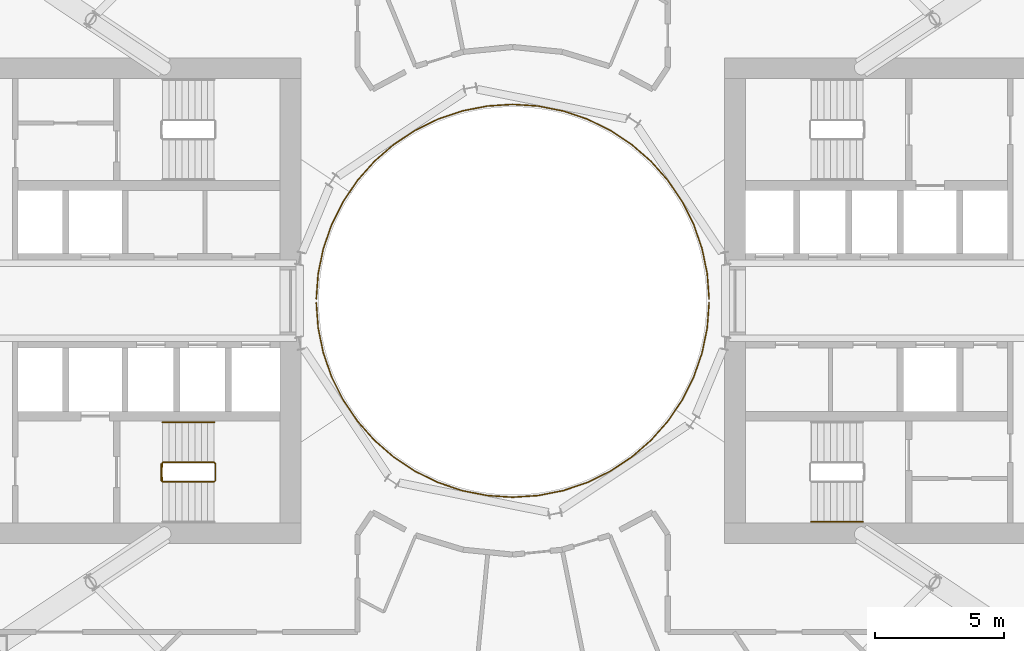
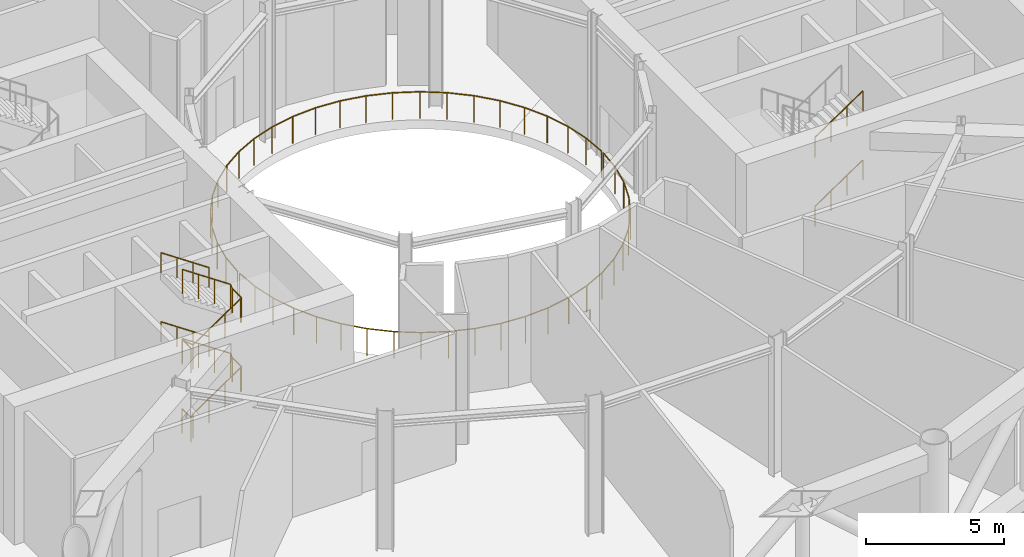
# One storey, part 19 of 22: 7 railings.
"""IFC4 building model written with IfcOpenShell, lengths in metres."""

from ifc_helpers import new_model, si_unit, direction, frame, origin, origin_2d, place, context, subcontext, project, spatial, circle, extrude, material, type_object, element, save


model = new_model("IFC4")

# Units and contexts
model_context = context("Model", 3, precision=1e-05, world=origin(), true_north=direction((0.0, 1.0)))
body_context = subcontext(model_context, "Body", "Model", "MODEL_VIEW")
ifc_project = project(units=[si_unit("LENGTHUNIT", "METRE"), si_unit("AREAUNIT", "SQUARE_METRE"), si_unit("VOLUMEUNIT", "CUBIC_METRE"), si_unit("PLANEANGLEUNIT", "RADIAN"), si_unit("MASSUNIT", "GRAM", prefix="KILO")], contexts=[model_context])

# Site, building, storey
site_placement = place(None, origin())
site = spatial("IfcSite", under=ifc_project, at=site_placement, CompositionType="ELEMENT")
building_placement = place(site_placement, origin())
building = spatial("IfcBuilding", under=site, at=building_placement, Name="Maasbend Ring Residences", CompositionType="ELEMENT")
storey_placement = place(building_placement, frame((0.0, 0.0, 57.5)))
storey = spatial("IfcBuildingStorey", under=building, at=storey_placement, Name="L16", CompositionType="ELEMENT", Elevation=57.5)

# Railings
ifc_material_1 = material(Name="Stainless steel 316 and glass", Category="steel")
railing_type_1 = type_object("IfcRailingType", Name="RL-GUARD", PredefinedType="GUARDRAIL", material=ifc_material_1)
railing_1_placement = place(storey_placement, frame((7.599609375, 0.06640625, 0.0)))
element("IfcRailing", 1, at=railing_1_placement, inside=storey, type_object=railing_type_1, Name="Garden guard well 1", PredefinedType="GUARDRAIL", context=body_context, shape_type="SweptSolid", body=[
    extrude(circle(Radius=0.02490234375, at=origin_2d()), frame((0.0, 0.0, 1.1748046875), z_axis=(-0.073598762792, 0.997287933405, 0.0), x_axis=(-0.997287933405, -0.073598762792, 0.0)), (0.0, 0.0, 1.0), 0.988525390625),
    extrude(circle(Radius=0.02490234375, at=origin_2d()), frame((-0.07275390625, 0.98583984375, 1.1748046875), z_axis=(-0.202760766137, 0.979228304184, 0.0), x_axis=(-0.979228304184, -0.202760766137, 0.0)), (0.0, 0.0, 1.0), 0.988525390625),
    extrude(circle(Radius=0.02490234375, at=origin_2d()), frame((-0.273193359375, 1.953857421875, 1.1748046875), z_axis=(-0.327907631853, 0.944709788757, 0.0), x_axis=(-0.944709788757, -0.327907631853, 0.0)), (0.0, 0.0, 1.0), 0.98876953125),
    extrude(circle(Radius=0.02490234375, at=origin_2d()), frame((-0.597412109375, 2.887939453125, 1.1748046875), z_axis=(-0.447806291046, 0.894130597676, 0.0), x_axis=(-0.894130597676, -0.447806291046, 0.0)), (0.0, 0.0, 1.0), 0.988525390625),
    extrude(circle(Radius=0.02490234375, at=origin_2d()), frame((-1.0400390625, 3.771728515625, 1.1748046875), z_axis=(-0.560045259563, 0.828462013155, 0.0), x_axis=(-0.828462013155, -0.560045259563, 0.0)), (0.0, 0.0, 1.0), 0.98876953125),
    extrude(circle(Radius=0.02490234375, at=origin_2d()), frame((-1.59375, 4.5908203125, 1.1748046875), z_axis=(-0.662829611997, 0.748770262137, 0.0), x_axis=(-0.748770262137, -0.662829611997, 0.0)), (0.0, 0.0, 1.0), 0.988525390625),
    extrude(circle(Radius=0.02490234375, at=origin_2d()), frame((-2.2490234375, 5.3310546875, 1.1748046875), z_axis=(-0.754424735376, 0.656386561908, 0.0), x_axis=(-0.656386561908, -0.754424735376, 0.0)), (0.0, 0.0, 1.0), 0.988525390625),
    extrude(circle(Radius=0.02490234375, at=origin_2d()), frame((-2.994873046875, 5.97998046875, 1.1748046875), z_axis=(-0.833415421364, 0.552647026078, 0.0), x_axis=(-0.552647026078, -0.833415421364, 0.0)), (0.0, 0.0, 1.0), 0.98876953125),
    extrude(circle(Radius=0.02490234375, at=origin_2d()), frame((-3.81884765625, 6.5263671875, 1.1748046875), z_axis=(-0.89795516916, 0.440086939341, 0.0), x_axis=(-0.440086939341, -0.89795516916, 0.0)), (0.0, 0.0, 1.0), 0.988525390625),
    extrude(circle(Radius=0.02490234375, at=origin_2d()), frame((-4.70654296875, 6.96142578125, 1.1748046875), z_axis=(-0.947491343753, 0.31978141521, 0.0), x_axis=(-0.31978141521, -0.947491343753, 0.0)), (0.0, 0.0, 1.0), 0.98876953125),
    extrude(circle(Radius=0.02490234375, at=origin_2d()), frame((-5.643310546875, 7.277587890625, 1.1748046875), z_axis=(-0.981024607585, 0.193883262073, 0.0), x_axis=(-0.193883262073, -0.981024607585, 0.0)), (0.0, 0.0, 1.0), 0.988525390625),
    extrude(circle(Radius=0.02490234375, at=origin_2d()), frame((-6.613037109375, 7.46923828125, 1.1748046875), z_axis=(-0.997872778693, 0.06519139163, 0.0), x_axis=(-0.06519139163, -0.997872778693, 0.0)), (0.0, 0.0, 1.0), 0.98876953125),
    extrude(circle(Radius=0.02490234375, at=origin_2d()), frame((-7.599609375, 7.53369140625, 1.1748046875), z_axis=(-0.997872778693, -0.06519139163, 0.0), x_axis=(0.06519139163, -0.997872778693, 0.0)), (0.0, 0.0, 1.0), 0.98876953125),
    extrude(circle(Radius=0.02490234375, at=origin_2d()), frame((-8.586181640625, 7.46923828125, 1.1748046875), z_axis=(-0.981024607585, -0.193883262073, 0.0), x_axis=(0.193883262073, -0.981024607585, 0.0)), (0.0, 0.0, 1.0), 0.988525390625),
    extrude(circle(Radius=0.02490234375, at=origin_2d()), frame((-9.555908203125, 7.277587890625, 1.1748046875), z_axis=(-0.947491343753, -0.31978141521, 0.0), x_axis=(0.31978141521, -0.947491343753, 0.0)), (0.0, 0.0, 1.0), 0.98876953125),
    extrude(circle(Radius=0.02490234375, at=origin_2d()), frame((-10.49267578125, 6.96142578125, 1.1748046875), z_axis=(-0.89795516916, -0.440086939341, 0.0), x_axis=(0.440086939341, -0.89795516916, 0.0)), (0.0, 0.0, 1.0), 0.988525390625),
    extrude(circle(Radius=0.02490234375, at=origin_2d()), frame((-11.38037109375, 6.5263671875, 1.1748046875), z_axis=(-0.833415421364, -0.552647026078, 0.0), x_axis=(0.552647026078, -0.833415421364, 0.0)), (0.0, 0.0, 1.0), 0.98876953125),
    extrude(circle(Radius=0.02490234375, at=origin_2d()), frame((-12.204345703125, 5.97998046875, 1.1748046875), z_axis=(-0.754424735376, -0.656386561908, 0.0), x_axis=(0.656386561908, -0.754424735376, 0.0)), (0.0, 0.0, 1.0), 0.988525390625),
    extrude(circle(Radius=0.02490234375, at=origin_2d()), frame((-12.9501953125, 5.3310546875, 1.1748046875), z_axis=(-0.662829611997, -0.748770262137, 0.0), x_axis=(0.748770262137, -0.662829611997, 0.0)), (0.0, 0.0, 1.0), 0.988525390625),
    extrude(circle(Radius=0.02490234375, at=origin_2d()), frame((-13.60546875, 4.5908203125, 1.1748046875), z_axis=(-0.560045259563, -0.828462013155, 0.0), x_axis=(0.828462013155, -0.560045259563, 0.0)), (0.0, 0.0, 1.0), 0.98876953125),
    extrude(circle(Radius=0.02490234375, at=origin_2d()), frame((-14.1591796875, 3.771728515625, 1.1748046875), z_axis=(-0.447806291046, -0.894130597676, 0.0), x_axis=(0.894130597676, -0.447806291046, 0.0)), (0.0, 0.0, 1.0), 0.988525390625),
    extrude(circle(Radius=0.02490234375, at=origin_2d()), frame((-14.601806640625, 2.887939453125, 1.1748046875), z_axis=(-0.327907631853, -0.944709788757, 0.0), x_axis=(0.944709788757, -0.327907631853, 0.0)), (0.0, 0.0, 1.0), 0.98876953125),
    extrude(circle(Radius=0.02490234375, at=origin_2d()), frame((-14.926025390625, 1.953857421875, 1.1748046875), z_axis=(-0.202760766137, -0.979228304184, 0.0), x_axis=(0.979228304184, -0.202760766137, 0.0)), (0.0, 0.0, 1.0), 0.988525390625),
    extrude(circle(Radius=0.02490234375, at=origin_2d()), frame((-15.12646484375, 0.98583984375, 1.1748046875), z_axis=(-0.073598762792, -0.997287933405, 0.0), x_axis=(0.997287933405, -0.073598762792, 0.0)), (0.0, 0.0, 1.0), 0.988525390625),
    extrude(circle(Radius=0.02001953125, at=origin_2d()), origin(), (0.0, 0.0, 1.0), 1.14990234375),
    extrude(circle(Radius=0.02001953125, at=origin_2d()), frame((-0.07275390625, 0.98583984375, 0.0)), (0.0, 0.0, 1.0), 1.14990234375),
    extrude(circle(Radius=0.02001953125, at=origin_2d()), frame((-0.273193359375, 1.953857421875, 0.0)), (0.0, 0.0, 1.0), 1.14990234375),
    extrude(circle(Radius=0.02001953125, at=origin_2d()), frame((-0.597412109375, 2.887939453125, 0.0)), (0.0, 0.0, 1.0), 1.14990234375),
    extrude(circle(Radius=0.02001953125, at=origin_2d()), frame((-1.0400390625, 3.771728515625, 0.0)), (0.0, 0.0, 1.0), 1.14990234375),
    extrude(circle(Radius=0.02001953125, at=origin_2d()), frame((-1.59375, 4.5908203125, 0.0)), (0.0, 0.0, 1.0), 1.14990234375),
    extrude(circle(Radius=0.02001953125, at=origin_2d()), frame((-2.2490234375, 5.3310546875, 0.0)), (0.0, 0.0, 1.0), 1.14990234375),
    extrude(circle(Radius=0.02001953125, at=origin_2d()), frame((-2.994873046875, 5.97998046875, 0.0)), (0.0, 0.0, 1.0), 1.14990234375),
    extrude(circle(Radius=0.02001953125, at=origin_2d()), frame((-3.81884765625, 6.5263671875, 0.0)), (0.0, 0.0, 1.0), 1.14990234375),
    extrude(circle(Radius=0.02001953125, at=origin_2d()), frame((-4.70654296875, 6.96142578125, 0.0)), (0.0, 0.0, 1.0), 1.14990234375),
    extrude(circle(Radius=0.02001953125, at=origin_2d()), frame((-5.643310546875, 7.277587890625, 0.0)), (0.0, 0.0, 1.0), 1.14990234375),
    extrude(circle(Radius=0.02001953125, at=origin_2d()), frame((-6.613037109375, 7.46923828125, 0.0)), (0.0, 0.0, 1.0), 1.14990234375),
    extrude(circle(Radius=0.02001953125, at=origin_2d()), frame((-7.599609375, 7.53369140625, 0.0)), (0.0, 0.0, 1.0), 1.14990234375),
    extrude(circle(Radius=0.02001953125, at=origin_2d()), frame((-8.586181640625, 7.46923828125, 0.0)), (0.0, 0.0, 1.0), 1.14990234375),
    extrude(circle(Radius=0.02001953125, at=origin_2d()), frame((-9.555908203125, 7.277587890625, 0.0)), (0.0, 0.0, 1.0), 1.14990234375),
    extrude(circle(Radius=0.02001953125, at=origin_2d()), frame((-10.49267578125, 6.96142578125, 0.0)), (0.0, 0.0, 1.0), 1.14990234375),
    extrude(circle(Radius=0.02001953125, at=origin_2d()), frame((-11.38037109375, 6.5263671875, 0.0)), (0.0, 0.0, 1.0), 1.14990234375),
    extrude(circle(Radius=0.02001953125, at=origin_2d()), frame((-12.204345703125, 5.97998046875, 0.0)), (0.0, 0.0, 1.0), 1.14990234375),
    extrude(circle(Radius=0.02001953125, at=origin_2d()), frame((-12.9501953125, 5.3310546875, 0.0)), (0.0, 0.0, 1.0), 1.14990234375),
    extrude(circle(Radius=0.02001953125, at=origin_2d()), frame((-13.60546875, 4.5908203125, 0.0)), (0.0, 0.0, 1.0), 1.14990234375),
    extrude(circle(Radius=0.02001953125, at=origin_2d()), frame((-14.1591796875, 3.771728515625, 0.0)), (0.0, 0.0, 1.0), 1.14990234375),
    extrude(circle(Radius=0.02001953125, at=origin_2d()), frame((-14.601806640625, 2.887939453125, 0.0)), (0.0, 0.0, 1.0), 1.14990234375),
    extrude(circle(Radius=0.02001953125, at=origin_2d()), frame((-14.926025390625, 1.953857421875, 0.0)), (0.0, 0.0, 1.0), 1.14990234375),
    extrude(circle(Radius=0.02001953125, at=origin_2d()), frame((-15.12646484375, 0.98583984375, 0.0)), (0.0, 0.0, 1.0), 1.14990234375),
    extrude(circle(Radius=0.02001953125, at=origin_2d()), frame((-15.19921875, 0.0, 0.0)), (0.0, 0.0, 1.0), 1.14990234375),
])
railing_2_placement = place(storey_placement, frame((-7.599609375, -0.06640625, 0.0)))
element("IfcRailing", 2, at=railing_2_placement, inside=storey, type_object=railing_type_1, Name="Garden guard well 2", PredefinedType="GUARDRAIL", context=body_context, shape_type="SweptSolid", body=[
    extrude(circle(Radius=0.02490234375, at=origin_2d()), frame((0.0, 0.0, 1.1748046875), z_axis=(0.073598762792, -0.997287933405, 0.0), x_axis=(0.997287933405, 0.073598762792, 0.0)), (0.0, 0.0, 1.0), 0.988525390625),
    extrude(circle(Radius=0.02490234375, at=origin_2d()), frame((0.07275390625, -0.98583984375, 1.1748046875), z_axis=(0.202760766137, -0.979228304184, 0.0), x_axis=(0.979228304184, 0.202760766137, 0.0)), (0.0, 0.0, 1.0), 0.988525390625),
    extrude(circle(Radius=0.02490234375, at=origin_2d()), frame((0.273193359375, -1.953857421875, 1.1748046875), z_axis=(0.327907631853, -0.944709788757, 0.0), x_axis=(0.944709788757, 0.327907631853, 0.0)), (0.0, 0.0, 1.0), 0.98876953125),
    extrude(circle(Radius=0.02490234375, at=origin_2d()), frame((0.597412109375, -2.887939453125, 1.1748046875), z_axis=(0.447806291046, -0.894130597676, 0.0), x_axis=(0.894130597676, 0.447806291046, 0.0)), (0.0, 0.0, 1.0), 0.988525390625),
    extrude(circle(Radius=0.02490234375, at=origin_2d()), frame((1.0400390625, -3.771728515625, 1.1748046875), z_axis=(0.560045259563, -0.828462013155, 0.0), x_axis=(0.828462013155, 0.560045259563, 0.0)), (0.0, 0.0, 1.0), 0.98876953125),
    extrude(circle(Radius=0.02490234375, at=origin_2d()), frame((1.59375, -4.5908203125, 1.1748046875), z_axis=(0.662829611997, -0.748770262137, 0.0), x_axis=(0.748770262137, 0.662829611997, 0.0)), (0.0, 0.0, 1.0), 0.988525390625),
    extrude(circle(Radius=0.02490234375, at=origin_2d()), frame((2.2490234375, -5.3310546875, 1.1748046875), z_axis=(0.754424735376, -0.656386561908, 0.0), x_axis=(0.656386561908, 0.754424735376, 0.0)), (0.0, 0.0, 1.0), 0.988525390625),
    extrude(circle(Radius=0.02490234375, at=origin_2d()), frame((2.994873046875, -5.97998046875, 1.1748046875), z_axis=(0.833415421364, -0.552647026078, 0.0), x_axis=(0.552647026078, 0.833415421364, 0.0)), (0.0, 0.0, 1.0), 0.98876953125),
    extrude(circle(Radius=0.02490234375, at=origin_2d()), frame((3.81884765625, -6.5263671875, 1.1748046875), z_axis=(0.89795516916, -0.440086939341, 0.0), x_axis=(0.440086939341, 0.89795516916, 0.0)), (0.0, 0.0, 1.0), 0.988525390625),
    extrude(circle(Radius=0.02490234375, at=origin_2d()), frame((4.70654296875, -6.96142578125, 1.1748046875), z_axis=(0.947491343753, -0.31978141521, 0.0), x_axis=(0.31978141521, 0.947491343753, 0.0)), (0.0, 0.0, 1.0), 0.98876953125),
    extrude(circle(Radius=0.02490234375, at=origin_2d()), frame((5.643310546875, -7.277587890625, 1.1748046875), z_axis=(0.981024607585, -0.193883262073, 0.0), x_axis=(0.193883262073, 0.981024607585, 0.0)), (0.0, 0.0, 1.0), 0.988525390625),
    extrude(circle(Radius=0.02490234375, at=origin_2d()), frame((6.613037109375, -7.46923828125, 1.1748046875), z_axis=(0.997872778693, -0.06519139163, 0.0), x_axis=(0.06519139163, 0.997872778693, 0.0)), (0.0, 0.0, 1.0), 0.98876953125),
    extrude(circle(Radius=0.02490234375, at=origin_2d()), frame((7.599609375, -7.53369140625, 1.1748046875), z_axis=(0.997872778693, 0.06519139163, 0.0), x_axis=(-0.06519139163, 0.997872778693, 0.0)), (0.0, 0.0, 1.0), 0.98876953125),
    extrude(circle(Radius=0.02490234375, at=origin_2d()), frame((8.586181640625, -7.46923828125, 1.1748046875), z_axis=(0.981024607585, 0.193883262073, 0.0), x_axis=(-0.193883262073, 0.981024607585, 0.0)), (0.0, 0.0, 1.0), 0.988525390625),
    extrude(circle(Radius=0.02490234375, at=origin_2d()), frame((9.555908203125, -7.277587890625, 1.1748046875), z_axis=(0.947491343753, 0.31978141521, 0.0), x_axis=(-0.31978141521, 0.947491343753, 0.0)), (0.0, 0.0, 1.0), 0.98876953125),
    extrude(circle(Radius=0.02490234375, at=origin_2d()), frame((10.49267578125, -6.96142578125, 1.1748046875), z_axis=(0.89795516916, 0.440086939341, 0.0), x_axis=(-0.440086939341, 0.89795516916, 0.0)), (0.0, 0.0, 1.0), 0.988525390625),
    extrude(circle(Radius=0.02490234375, at=origin_2d()), frame((11.38037109375, -6.5263671875, 1.1748046875), z_axis=(0.833415421364, 0.552647026078, 0.0), x_axis=(-0.552647026078, 0.833415421364, 0.0)), (0.0, 0.0, 1.0), 0.98876953125),
    extrude(circle(Radius=0.02490234375, at=origin_2d()), frame((12.204345703125, -5.97998046875, 1.1748046875), z_axis=(0.754424735376, 0.656386561908, 0.0), x_axis=(-0.656386561908, 0.754424735376, 0.0)), (0.0, 0.0, 1.0), 0.988525390625),
    extrude(circle(Radius=0.02490234375, at=origin_2d()), frame((12.9501953125, -5.3310546875, 1.1748046875), z_axis=(0.662829611997, 0.748770262137, 0.0), x_axis=(-0.748770262137, 0.662829611997, 0.0)), (0.0, 0.0, 1.0), 0.988525390625),
    extrude(circle(Radius=0.02490234375, at=origin_2d()), frame((13.60546875, -4.5908203125, 1.1748046875), z_axis=(0.560045259563, 0.828462013155, 0.0), x_axis=(-0.828462013155, 0.560045259563, 0.0)), (0.0, 0.0, 1.0), 0.98876953125),
    extrude(circle(Radius=0.02490234375, at=origin_2d()), frame((14.1591796875, -3.771728515625, 1.1748046875), z_axis=(0.447806291046, 0.894130597676, 0.0), x_axis=(-0.894130597676, 0.447806291046, 0.0)), (0.0, 0.0, 1.0), 0.988525390625),
    extrude(circle(Radius=0.02490234375, at=origin_2d()), frame((14.601806640625, -2.887939453125, 1.1748046875), z_axis=(0.327907631853, 0.944709788757, 0.0), x_axis=(-0.944709788757, 0.327907631853, 0.0)), (0.0, 0.0, 1.0), 0.98876953125),
    extrude(circle(Radius=0.02490234375, at=origin_2d()), frame((14.926025390625, -1.953857421875, 1.1748046875), z_axis=(0.202760766137, 0.979228304184, 0.0), x_axis=(-0.979228304184, 0.202760766137, 0.0)), (0.0, 0.0, 1.0), 0.988525390625),
    extrude(circle(Radius=0.02490234375, at=origin_2d()), frame((15.12646484375, -0.98583984375, 1.1748046875), z_axis=(0.073598762792, 0.997287933405, 0.0), x_axis=(-0.997287933405, 0.073598762792, 0.0)), (0.0, 0.0, 1.0), 0.988525390625),
    extrude(circle(Radius=0.02001953125, at=origin_2d()), origin(), (0.0, 0.0, 1.0), 1.14990234375),
    extrude(circle(Radius=0.02001953125, at=origin_2d()), frame((0.07275390625, -0.98583984375, 0.0)), (0.0, 0.0, 1.0), 1.14990234375),
    extrude(circle(Radius=0.02001953125, at=origin_2d()), frame((0.273193359375, -1.953857421875, 0.0)), (0.0, 0.0, 1.0), 1.14990234375),
    extrude(circle(Radius=0.02001953125, at=origin_2d()), frame((0.597412109375, -2.887939453125, 0.0)), (0.0, 0.0, 1.0), 1.14990234375),
    extrude(circle(Radius=0.02001953125, at=origin_2d()), frame((1.0400390625, -3.771728515625, 0.0)), (0.0, 0.0, 1.0), 1.14990234375),
    extrude(circle(Radius=0.02001953125, at=origin_2d()), frame((1.59375, -4.5908203125, 0.0)), (0.0, 0.0, 1.0), 1.14990234375),
    extrude(circle(Radius=0.02001953125, at=origin_2d()), frame((2.2490234375, -5.3310546875, 0.0)), (0.0, 0.0, 1.0), 1.14990234375),
    extrude(circle(Radius=0.02001953125, at=origin_2d()), frame((2.994873046875, -5.97998046875, 0.0)), (0.0, 0.0, 1.0), 1.14990234375),
    extrude(circle(Radius=0.02001953125, at=origin_2d()), frame((3.81884765625, -6.5263671875, 0.0)), (0.0, 0.0, 1.0), 1.14990234375),
    extrude(circle(Radius=0.02001953125, at=origin_2d()), frame((4.70654296875, -6.96142578125, 0.0)), (0.0, 0.0, 1.0), 1.14990234375),
    extrude(circle(Radius=0.02001953125, at=origin_2d()), frame((5.643310546875, -7.277587890625, 0.0)), (0.0, 0.0, 1.0), 1.14990234375),
    extrude(circle(Radius=0.02001953125, at=origin_2d()), frame((6.613037109375, -7.46923828125, 0.0)), (0.0, 0.0, 1.0), 1.14990234375),
    extrude(circle(Radius=0.02001953125, at=origin_2d()), frame((7.599609375, -7.53369140625, 0.0)), (0.0, 0.0, 1.0), 1.14990234375),
    extrude(circle(Radius=0.02001953125, at=origin_2d()), frame((8.586181640625, -7.46923828125, 0.0)), (0.0, 0.0, 1.0), 1.14990234375),
    extrude(circle(Radius=0.02001953125, at=origin_2d()), frame((9.555908203125, -7.277587890625, 0.0)), (0.0, 0.0, 1.0), 1.14990234375),
    extrude(circle(Radius=0.02001953125, at=origin_2d()), frame((10.49267578125, -6.96142578125, 0.0)), (0.0, 0.0, 1.0), 1.14990234375),
    extrude(circle(Radius=0.02001953125, at=origin_2d()), frame((11.38037109375, -6.5263671875, 0.0)), (0.0, 0.0, 1.0), 1.14990234375),
    extrude(circle(Radius=0.02001953125, at=origin_2d()), frame((12.204345703125, -5.97998046875, 0.0)), (0.0, 0.0, 1.0), 1.14990234375),
    extrude(circle(Radius=0.02001953125, at=origin_2d()), frame((12.9501953125, -5.3310546875, 0.0)), (0.0, 0.0, 1.0), 1.14990234375),
    extrude(circle(Radius=0.02001953125, at=origin_2d()), frame((13.60546875, -4.5908203125, 0.0)), (0.0, 0.0, 1.0), 1.14990234375),
    extrude(circle(Radius=0.02001953125, at=origin_2d()), frame((14.1591796875, -3.771728515625, 0.0)), (0.0, 0.0, 1.0), 1.14990234375),
    extrude(circle(Radius=0.02001953125, at=origin_2d()), frame((14.601806640625, -2.887939453125, 0.0)), (0.0, 0.0, 1.0), 1.14990234375),
    extrude(circle(Radius=0.02001953125, at=origin_2d()), frame((14.926025390625, -1.953857421875, 0.0)), (0.0, 0.0, 1.0), 1.14990234375),
    extrude(circle(Radius=0.02001953125, at=origin_2d()), frame((15.12646484375, -0.98583984375, 0.0)), (0.0, 0.0, 1.0), 1.14990234375),
    extrude(circle(Radius=0.02001953125, at=origin_2d()), frame((15.19921875, 0.0, 0.0)), (0.0, 0.0, 1.0), 1.14990234375),
])
ifc_material_2 = material(Name="Stainless steel 316", Category="steel")
railing_type_2 = type_object("IfcRailingType", Name="STAIR GUARD 1100", PredefinedType="GUARDRAIL", material=ifc_material_2)
railing_3_placement = place(storey_placement, frame((-13.60009765625, -6.300048828125, 0.0)))
element("IfcRailing", 3, at=railing_3_placement, inside=storey, type_object=railing_type_2, Name="L16 ST-W1 stair guard 1", PredefinedType="GUARDRAIL", context=body_context, shape_type="SweptSolid", body=[
    extrude(circle(Radius=0.02392578125, at=origin_2d()), frame((0.0, 0.0, 1.076171875), z_axis=(0.0, -1.0, 0.0), x_axis=(1.0, 0.0, 0.0)), (0.0, 0.0, 1.0), 0.64990234375),
    extrude(circle(Radius=0.02392578125, at=origin_2d()), frame((0.0, -0.64990234375, 1.076171875), z_axis=(0.272562526181, -0.272562526181, 0.92272386912), x_axis=(0.707106781187, 0.707106781187, 0.0)), (0.0, 0.0, 1.0), 0.18359375),
    extrude(circle(Radius=0.02392578125, at=origin_2d()), frame((0.050048828125, -0.699951171875, 1.24560546875), z_axis=(0.827797584762, 0.0, 0.561026878735), x_axis=(0.0, 1.0, 0.0)), (0.0, 0.0, 1.0), 2.416015625),
    extrude(circle(Radius=0.02392578125, at=origin_2d()), frame((2.050048828125, -0.699951171875, 2.60107421875), z_axis=(0.707106781187, 0.707106781187, 0.0), x_axis=(-0.707106781187, 0.707106781187, 0.0)), (0.0, 0.0, 1.0), 0.07080078125),
    extrude(circle(Radius=0.02392578125, at=origin_2d()), frame((2.10009765625, -0.64990234375, 2.60107421875), z_axis=(0.0, 1.0, 0.0), x_axis=(-1.0, 0.0, 0.0)), (0.0, 0.0, 1.0), 0.64990234375),
    extrude(circle(Radius=0.02392578125, at=origin_2d()), frame((2.10009765625, 0.0, 2.60107421875), z_axis=(-0.272562526181, 0.272562526181, 0.92272386912), x_axis=(-0.707106781187, -0.707106781187, 0.0)), (0.0, 0.0, 1.0), 0.18359375),
    extrude(circle(Radius=0.02392578125, at=origin_2d()), frame((2.050048828125, 0.050048828125, 2.7705078125), z_axis=(-0.827750655447, 0.0, 0.561096116906), x_axis=(0.0, -1.0, 0.0)), (0.0, 0.0, 1.0), 2.416259765625),
    extrude(circle(Radius=0.02392578125, at=origin_2d()), frame((0.050048828125, 0.050048828125, 4.1259765625), z_axis=(-0.071321223157, -0.997453398975, 0.0), x_axis=(0.997453398975, -0.071321223157, 0.0)), (0.0, 0.0, 1.0), 0.70166015625),
    extrude(circle(Radius=0.02392578125, at=origin_2d()), frame((0.0, -0.64990234375, 4.1259765625), z_axis=(0.0, 1.0, 0.0), x_axis=(-1.0, 0.0, 0.0)), (0.0, 0.0, 1.0), 0.64990234375),
    extrude(circle(Radius=0.02392578125, at=origin_2d()), frame((0.0, 0.0, 4.1259765625), z_axis=(0.069328998915, -0.969591414091, 0.234704025594), x_axis=(0.997453398975, 0.071321223157, 0.0)), (0.0, 0.0, 1.0), 0.721923828125),
    extrude(circle(Radius=0.02392578125, at=origin_2d()), frame((0.050048828125, -0.699951171875, 4.29541015625), z_axis=(0.827797584762, 0.0, 0.561026878735), x_axis=(0.0, 1.0, 0.0)), (0.0, 0.0, 1.0), 2.416015625),
    extrude(circle(Radius=0.02392578125, at=origin_2d()), frame((2.050048828125, -0.699951171875, 5.65087890625), z_axis=(0.707106781187, 0.707106781187, 0.0), x_axis=(-0.707106781187, 0.707106781187, 0.0)), (0.0, 0.0, 1.0), 0.07080078125),
    extrude(circle(Radius=0.02392578125, at=origin_2d()), frame((2.10009765625, -0.64990234375, 5.65087890625), z_axis=(0.0, 1.0, 0.0), x_axis=(-1.0, 0.0, 0.0)), (0.0, 0.0, 1.0), 0.64990234375),
    extrude(circle(Radius=0.02392578125, at=origin_2d()), frame((2.10009765625, 0.0, 5.65087890625), z_axis=(-0.272562526181, 0.272562526181, 0.92272386912), x_axis=(-0.707106781187, -0.707106781187, 0.0)), (0.0, 0.0, 1.0), 0.18359375),
    extrude(circle(Radius=0.02392578125, at=origin_2d()), frame((2.050048828125, 0.050048828125, 5.8203125), z_axis=(-0.827750655447, 0.0, 0.561096116906), x_axis=(0.0, -1.0, 0.0)), (0.0, 0.0, 1.0), 2.416259765625),
    extrude(circle(Radius=0.02099609375, at=origin_2d()), origin(), (0.0, 0.0, 1.0), 1.052001953125),
    extrude(circle(Radius=0.02099609375, at=origin_2d()), frame((0.0, -0.64990234375, 0.0)), (0.0, 0.0, 1.0), 1.052001953125),
    extrude(circle(Radius=0.02099609375, at=origin_2d()), frame((0.050048828125, -0.699951171875, 0.16943359375)), (0.0, 0.0, 1.0), 1.052001953125),
    extrude(circle(Radius=0.02099609375, at=origin_2d()), frame((0.716796875, -0.699951171875, 0.621337890625)), (0.0, 0.0, 1.0), 1.052001953125),
    extrude(circle(Radius=0.02099609375, at=origin_2d()), frame((1.38330078125, -0.699951171875, 1.072998046875)), (0.0, 0.0, 1.0), 1.052001953125),
    extrude(circle(Radius=0.02099609375, at=origin_2d()), frame((2.050048828125, -0.699951171875, 1.52490234375)), (0.0, 0.0, 1.0), 1.052001953125),
    extrude(circle(Radius=0.02099609375, at=origin_2d()), frame((2.10009765625, -0.64990234375, 1.52490234375)), (0.0, 0.0, 1.0), 1.052001953125),
    extrude(circle(Radius=0.02099609375, at=origin_2d()), frame((2.10009765625, 0.0, 1.52490234375)), (0.0, 0.0, 1.0), 1.052001953125),
    extrude(circle(Radius=0.02099609375, at=origin_2d()), frame((2.050048828125, 0.050048828125, 1.6943359375)), (0.0, 0.0, 1.0), 1.052001953125),
    extrude(circle(Radius=0.02099609375, at=origin_2d()), frame((1.38330078125, 0.050048828125, 2.146240234375)), (0.0, 0.0, 1.0), 1.052001953125),
    extrude(circle(Radius=0.02099609375, at=origin_2d()), frame((0.716796875, 0.050048828125, 2.59814453125)), (0.0, 0.0, 1.0), 1.052001953125),
    extrude(circle(Radius=0.02099609375, at=origin_2d()), frame((0.050048828125, 0.050048828125, 3.050048828125)), (0.0, 0.0, 1.0), 1.052001953125),
    extrude(circle(Radius=0.02099609375, at=origin_2d()), frame((0.0, -0.64990234375, 3.050048828125)), (0.0, 0.0, 1.0), 1.052001953125),
    extrude(circle(Radius=0.02099609375, at=origin_2d()), frame((0.0, 0.0, 3.050048828125)), (0.0, 0.0, 1.0), 1.052001953125),
    extrude(circle(Radius=0.02099609375, at=origin_2d()), frame((0.050048828125, -0.699951171875, 3.219482421875)), (0.0, 0.0, 1.0), 1.052001953125),
    extrude(circle(Radius=0.02099609375, at=origin_2d()), frame((0.716796875, -0.699951171875, 3.67138671875)), (0.0, 0.0, 1.0), 1.052001953125),
    extrude(circle(Radius=0.02099609375, at=origin_2d()), frame((1.38330078125, -0.699951171875, 4.123046875)), (0.0, 0.0, 1.0), 1.052001953125),
    extrude(circle(Radius=0.02099609375, at=origin_2d()), frame((2.050048828125, -0.699951171875, 4.574951171875)), (0.0, 0.0, 1.0), 1.052001953125),
    extrude(circle(Radius=0.02099609375, at=origin_2d()), frame((2.10009765625, -0.64990234375, 4.574951171875)), (0.0, 0.0, 1.0), 1.052001953125),
    extrude(circle(Radius=0.02099609375, at=origin_2d()), frame((2.10009765625, 0.0, 4.574951171875)), (0.0, 0.0, 1.0), 1.052001953125),
    extrude(circle(Radius=0.02099609375, at=origin_2d()), frame((2.050048828125, 0.050048828125, 4.744384765625)), (0.0, 0.0, 1.0), 1.052001953125),
    extrude(circle(Radius=0.02099609375, at=origin_2d()), frame((1.38330078125, 0.050048828125, 5.1962890625)), (0.0, 0.0, 1.0), 1.052001953125),
    extrude(circle(Radius=0.02099609375, at=origin_2d()), frame((0.716796875, 0.050048828125, 5.648193359375)), (0.0, 0.0, 1.0), 1.052001953125),
    extrude(circle(Radius=0.02099609375, at=origin_2d()), frame((0.050048828125, 0.050048828125, 6.10009765625)), (0.0, 0.0, 1.0), 1.052001953125),
])
ifc_material_3 = material(Name="Stainless steel 316", Category="steel")
railing_type_3 = type_object("IfcRailingType", Name="STAIR HANDRAIL 900", PredefinedType="HANDRAIL", material=ifc_material_3)
for number, where, name in (
    (4, (11.550048828125, -8.550048828125, 1.6943359375), "L16 ST-E2 stair handrail 2"),
    (5, (11.550048828125, -8.550048828125, 4.744384765625), "L16 ST-E2 stair handrail 4"),
):
    element("IfcRailing", number, at=place(storey_placement, frame(where)), inside=storey, type_object=railing_type_3, Name=name, PredefinedType="HANDRAIL", context=body_context, shape_type="SweptSolid", body=[
        extrude(circle(Radius=0.02392578125, at=origin_2d()), frame((0.0, 0.0, 0.8759765625), z_axis=(0.827750655447, 0.0, 0.561096116906), x_axis=(0.0, 1.0, 0.0)), (0.0, 0.0, 1.0), 2.416259765625),
        extrude(circle(Radius=0.02099609375, at=origin_2d()), origin(), (0.0, 0.0, 1.0), 0.851806640625),
        extrude(circle(Radius=0.02099609375, at=origin_2d()), frame((0.666748046875, 0.0, 0.451904296875)), (0.0, 0.0, 1.0), 0.851806640625),
        extrude(circle(Radius=0.02099609375, at=origin_2d()), frame((1.333251953125, 0.0, 0.90380859375)), (0.0, 0.0, 1.0), 0.851806640625),
        extrude(circle(Radius=0.02099609375, at=origin_2d()), frame((2.0, 0.0, 1.355712890625)), (0.0, 0.0, 1.0), 0.851806640625),
    ])
for number, where, name in (
    (6, (-11.550048828125, -4.699951171875, 1.6943359375), "L16 ST-W1 stair handrail 2"),
    (7, (-11.550048828125, -4.699951171875, 4.744384765625), "L16 ST-W1 stair handrail 4"),
):
    element("IfcRailing", number, at=place(storey_placement, frame(where)), inside=storey, type_object=railing_type_3, Name=name, PredefinedType="HANDRAIL", context=body_context, shape_type="SweptSolid", body=[
        extrude(circle(Radius=0.02392578125, at=origin_2d()), frame((0.0, 0.0, 0.8759765625), z_axis=(-0.827750655447, 0.0, 0.561096116906), x_axis=(0.0, -1.0, 0.0)), (0.0, 0.0, 1.0), 2.416259765625),
        extrude(circle(Radius=0.02099609375, at=origin_2d()), origin(), (0.0, 0.0, 1.0), 0.851806640625),
        extrude(circle(Radius=0.02099609375, at=origin_2d()), frame((-0.666748046875, 0.0, 0.451904296875)), (0.0, 0.0, 1.0), 0.851806640625),
        extrude(circle(Radius=0.02099609375, at=origin_2d()), frame((-1.333251953125, 0.0, 0.90380859375)), (0.0, 0.0, 1.0), 0.851806640625),
        extrude(circle(Radius=0.02099609375, at=origin_2d()), frame((-2.0, 0.0, 1.355712890625)), (0.0, 0.0, 1.0), 0.851806640625),
    ])

save(model, "model.ifc")
